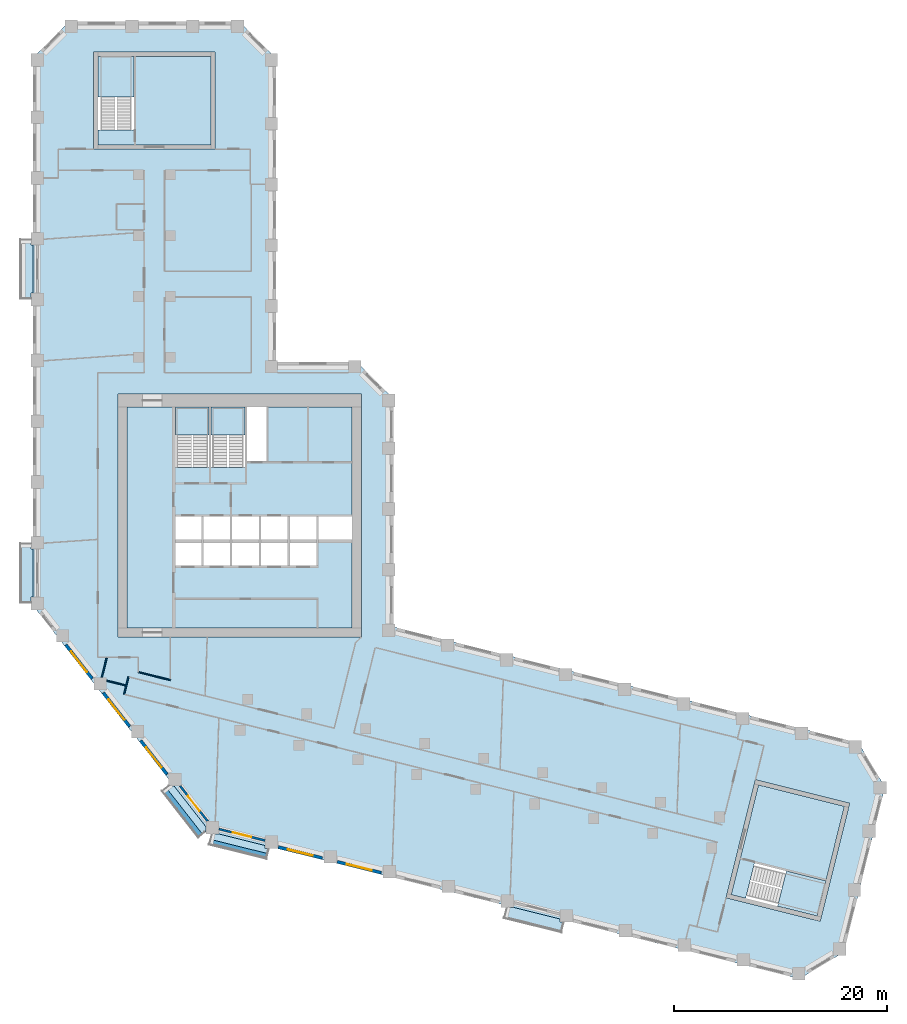
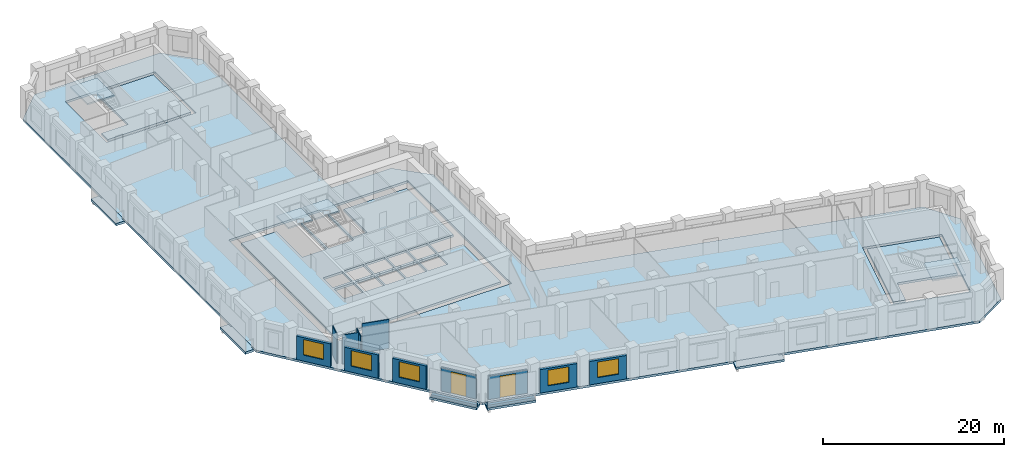
# One storey, part 2 of 10: 13 slabs, 13 walls, 5 windows, 2 doors, 7 openings, 4 elements without a shape of their own.
"""IFC4 building model written with IfcOpenShell, lengths in metres."""

from ifc_helpers import new_model, si_unit, direction, frame, frame_2d, origin, place, context, subcontext, project, spatial, polyline, rectangle, outline, extrude, material, layer, layer_set, type_object, element, fill, aggregate, save


model = new_model("IFC4")

# Units and contexts
model_context = context("Model", 3, precision=1e-05, world=origin(), true_north=direction((0.0, 1.0)))
body_context = subcontext(model_context, "Body", "Model", "MODEL_VIEW")
ifc_project = project(units=[si_unit("LENGTHUNIT", "METRE"), si_unit("AREAUNIT", "SQUARE_METRE"), si_unit("VOLUMEUNIT", "CUBIC_METRE"), si_unit("PLANEANGLEUNIT", "RADIAN"), si_unit("MASSUNIT", "GRAM", prefix="KILO")], contexts=[model_context])

# Site, building, storey
site_placement = place(None, origin())
site = spatial("IfcSite", under=ifc_project, at=site_placement, CompositionType="ELEMENT")
building_placement = place(site_placement, origin())
building = spatial("IfcBuilding", under=site, at=building_placement, Name="Meshkara Civic Tower", CompositionType="ELEMENT")
storey_placement = place(building_placement, frame((0.0, 0.0, 169.800048828125)))
storey = spatial("IfcBuildingStorey", under=building, at=storey_placement, Name="L38", CompositionType="ELEMENT", Elevation=169.800048828125)

# Slabs
ifc_material_1 = material(Name="Concrete C40", Category="concrete")
ifc_layer_1 = layer(ifc_material_1, 0.300048828125)
ifc_layer_set_1 = layer_set([ifc_layer_1], Name="BALCONY SLAB")
slab_type_1 = type_object("IfcSlabType", Name="BALCONY SLAB", PredefinedType="FLOOR", material=ifc_layer_set_1)
slab_1_placement = place(storey_placement, frame((0.0, 0.0, -0.300048828125)))
element("IfcSlab", 1, at=slab_1_placement, inside=storey, type_object=slab_type_1, Name="Balcony slab", PredefinedType="FLOOR", context=body_context, shape_type="SweptSolid", body=[
    extrude(outline(polyline([(-1.199951171875, 45.81494140625), (-1.199951171875, 51.39501953125), (-0.14990234375, 51.39501953125), (-0.14990234375, 50.85498046875), (0.0, 50.85498046875), (0.0, 46.35498046875), (-0.14990234375, 46.35498046875), (-0.14990234375, 45.81494140625), (-1.199951171875, 45.81494140625)])), origin(), (0.0, 0.0, 1.0), 0.300048828125),
])
slab_2_placement = place(storey_placement, frame((0.0, 0.0, -0.300048828125)))
element("IfcSlab", 2, at=slab_2_placement, inside=storey, type_object=slab_type_1, Name="Balcony slab", PredefinedType="FLOOR", context=body_context, shape_type="SweptSolid", body=[
    extrude(outline(polyline([(-1.199951171875, 17.31494140625), (-1.199951171875, 22.89501953125), (-0.14990234375, 22.89501953125), (-0.14990234375, 22.35498046875), (0.0, 22.35498046875), (0.0, 17.85498046875), (-0.14990234375, 17.85498046875), (-0.14990234375, 17.31494140625), (-1.199951171875, 17.31494140625)])), origin(), (0.0, 0.0, 1.0), 0.300048828125),
])
slab_3_placement = place(storey_placement, frame((0.0, 0.0, -0.300048828125)))
element("IfcSlab", 3, at=slab_3_placement, inside=storey, type_object=slab_type_1, Name="Balcony slab", PredefinedType="FLOOR", context=body_context, shape_type="SweptSolid", body=[
    extrude(outline(polyline([(15.513916015625, -4.7060546875), (12.0791015625, -0.30908203125), (12.741943359375, 0.208984375), (12.741943359375, 0.154052734375), (13.239990234375, 0.154052734375), (16.2509765625, -3.700927734375), (16.2509765625, -4.131103515625), (15.513916015625, -4.7060546875)])), origin(), (0.0, 0.0, 1.0), 0.300048828125),
])
slab_4_placement = place(storey_placement, frame((0.0, 0.0, -0.300048828125)))
element("IfcSlab", 4, at=slab_4_placement, inside=storey, type_object=slab_type_1, Name="Balcony slab", PredefinedType="FLOOR", context=body_context, shape_type="SweptSolid", body=[
    extrude(outline(polyline([(21.925048828125, -6.702880859375), (16.510009765625, -5.35302734375), (16.762939453125, -4.337890625), (17.39794921875, -4.337890625), (21.781982421875, -5.430908203125), (21.781982421875, -5.717041015625), (22.1708984375, -5.717041015625), (21.925048828125, -6.702880859375)])), origin(), (0.0, 0.0, 1.0), 0.300048828125),
])
slab_5_placement = place(storey_placement, frame((0.0, 0.0, -0.300048828125)))
element("IfcSlab", 5, at=slab_5_placement, inside=storey, type_object=slab_type_1, Name="Balcony slab", PredefinedType="FLOOR", context=body_context, shape_type="SweptSolid", body=[
    extrude(outline(polyline([(49.577880859375, -13.597900390625), (44.1640625, -12.248046875), (44.4169921875, -11.23193359375), (45.050048828125, -11.23193359375), (49.43505859375, -12.324951171875), (49.43505859375, -12.611083984375), (49.823974609375, -12.611083984375), (49.577880859375, -13.597900390625)])), origin(), (0.0, 0.0, 1.0), 0.300048828125),
])
ifc_material_2 = material(Name="Concrete C40/50", Category="concrete")
ifc_layer_2 = layer(ifc_material_2, 0.300048828125)
ifc_layer_set_2 = layer_set([ifc_layer_2], Name="Core floor slab 300 C40/50")
slab_type_2 = type_object("IfcSlabType", Name="Core floor slab 300 C40/50", PredefinedType="FLOOR", material=ifc_layer_set_2)
slab_6_placement = place(storey_placement, frame((0.0, 0.0, -0.300048828125)))
element("IfcSlab", 6, at=slab_6_placement, inside=storey, type_object=slab_type_2, Name="Core floor K", PredefinedType="FLOOR", context=body_context, shape_type="SweptSolid", body=[
    extrude(outline(polyline([(8.85009765625, 35.699951171875), (13.3701171875, 35.699951171875), (13.3701171875, 30.00146484375), (16.5, 30.00146484375), (16.5, 35.699951171875), (16.699951171875, 35.699951171875), (16.699951171875, 30.00146484375), (19.89990234375, 30.00146484375), (19.89990234375, 35.699951171875), (20.10009765625, 35.699951171875), (20.10009765625, 30.574951171875), (21.925048828125, 30.574951171875), (21.925048828125, 35.699951171875), (29.949951171875, 35.699951171875), (29.949951171875, 25.39990234375), (26.800048828125, 25.39990234375), (26.800048828125, 23.27001953125), (29.949951171875, 23.27001953125), (29.949951171875, 14.949951171875), (8.85009765625, 14.949951171875), (8.85009765625, 35.699951171875)]), holes=[polyline([(15.800048828125, 22.929931640625), (13.3701171875, 22.929931640625), (13.3701171875, 20.800048828125), (15.800048828125, 20.800048828125), (15.800048828125, 22.929931640625)]), polyline([(16.0, 22.929931640625), (16.0, 20.800048828125), (18.5, 20.800048828125), (18.5, 22.929931640625), (16.0, 22.929931640625)]), polyline([(18.699951171875, 22.929931640625), (18.699951171875, 20.800048828125), (21.199951171875, 20.800048828125), (21.199951171875, 22.929931640625), (18.699951171875, 22.929931640625)]), polyline([(15.800048828125, 23.27001953125), (15.800048828125, 25.39990234375), (13.3701171875, 25.39990234375), (13.3701171875, 23.27001953125), (15.800048828125, 23.27001953125)]), polyline([(16.0, 25.39990234375), (16.0, 23.27001953125), (18.5, 23.27001953125), (18.5, 25.39990234375), (16.0, 25.39990234375)]), polyline([(21.39990234375, 20.800048828125), (23.89990234375, 20.800048828125), (23.89990234375, 22.929931640625), (21.39990234375, 22.929931640625), (21.39990234375, 20.800048828125)]), polyline([(24.10009765625, 20.800048828125), (26.60009765625, 20.800048828125), (26.60009765625, 22.929931640625), (24.10009765625, 22.929931640625), (24.10009765625, 20.800048828125)]), polyline([(18.699951171875, 25.39990234375), (18.699951171875, 23.27001953125), (21.199951171875, 23.27001953125), (21.199951171875, 25.39990234375), (18.699951171875, 25.39990234375)]), polyline([(21.39990234375, 25.39990234375), (21.39990234375, 23.27001953125), (23.89990234375, 23.27001953125), (23.89990234375, 25.39990234375), (21.39990234375, 25.39990234375)]), polyline([(24.10009765625, 23.27001953125), (26.60009765625, 23.27001953125), (26.60009765625, 25.39990234375), (24.10009765625, 25.39990234375), (24.10009765625, 23.27001953125)])]), origin(), (0.0, 0.0, 1.0), 0.300048828125),
])
slab_7_placement = place(storey_placement, frame((0.0, 0.0, -0.300048828125)))
element("IfcSlab", 7, at=slab_7_placement, inside=storey, type_object=slab_type_2, Name="Core floor EA", PredefinedType="FLOOR", context=body_context, shape_type="SweptSolid", body=[
    extrude(outline(polyline([(16.699951171875, 60.27001953125), (16.699951171875, 68.570068359375), (9.5, 68.570068359375), (9.5, 61.67138671875), (6.10009765625, 61.67138671875), (6.10009765625, 60.27001953125), (16.699951171875, 60.27001953125)])), origin(), (0.0, 0.0, 1.0), 0.300048828125),
])
slab_8_placement = place(storey_placement, frame((0.0, 0.0, -0.300048828125)))
element("IfcSlab", 8, at=slab_8_placement, inside=storey, type_object=slab_type_2, Name="Core floor EB", PredefinedType="FLOOR", context=body_context, shape_type="SweptSolid", body=[
    extrude(outline(polyline([(68.050537109375, 0.244384765625), (76.10400390625, -1.763671875), (74.362060546875, -8.749755859375), (67.66845703125, -7.080810546875), (66.845947265625, -10.3798828125), (65.486083984375, -10.040771484375), (68.050537109375, 0.244384765625)])), origin(), (0.0, 0.0, 1.0), 0.300048828125),
])

# Stair, slab
ifc_material_3 = material(Name="Precast concrete C40/50", Category="concrete")
stair_type = type_object("IfcStairType", Name="Exit stair half-turn 24 risers precast", PredefinedType="HALF_TURN_STAIR", material=ifc_material_3)
stair_1_placement = place(storey_placement, origin())
stair_1 = element("IfcStair", 9, at=stair_1_placement, inside=storey, type_object=stair_type, Name="L38 exit stair 1", PredefinedType="HALF_TURN_STAIR")
ifc_material_4 = material(Name="Precast concrete C40/50", Category="concrete")
ifc_layer_3 = layer(ifc_material_4, 0.199951171875)
ifc_layer_set_3 = layer_set([ifc_layer_3], Name="Exit stair landing 200")
slab_type_3 = type_object("IfcSlabType", Name="Exit stair landing 200", PredefinedType="LANDING", material=ifc_layer_set_3)
slab_9_placement = place(storey_placement, frame((0.0, 0.0, 1.89990234375)))
slab_9 = element("IfcSlab", 10, at=slab_9_placement, type_object=slab_type_3, Name="ST1 landing 1", PredefinedType="LANDING", context=body_context, shape_type="SweptSolid", body=[
    extrude(outline(polyline([(16.5, 33.07861328125), (16.5, 35.699951171875), (13.3701171875, 35.699951171875), (13.3701171875, 33.07861328125), (16.5, 33.07861328125)])), origin(), (0.0, 0.0, 1.0), 0.199951171875),
])
aggregate(stair_1, [slab_9])

stair_2_placement = place(storey_placement, origin())
stair_2 = element("IfcStair", 11, at=stair_2_placement, inside=storey, type_object=stair_type, Name="L38 exit stair 2", PredefinedType="HALF_TURN_STAIR")
slab_10_placement = place(storey_placement, frame((0.0, 0.0, 1.89990234375)))
slab_10 = element("IfcSlab", 12, at=slab_10_placement, type_object=slab_type_3, Name="ST2 landing 1", PredefinedType="LANDING", context=body_context, shape_type="SweptSolid", body=[
    extrude(outline(polyline([(19.89990234375, 33.07861328125), (19.89990234375, 35.699951171875), (16.699951171875, 35.699951171875), (16.699951171875, 33.07861328125), (19.89990234375, 33.07861328125)])), origin(), (0.0, 0.0, 1.0), 0.199951171875),
])
aggregate(stair_2, [slab_10])

stair_3_placement = place(storey_placement, origin())
stair_3 = element("IfcStair", 13, at=stair_3_placement, inside=storey, type_object=stair_type, Name="L38 exit stair A from L35", PredefinedType="HALF_TURN_STAIR")
slab_11_placement = place(storey_placement, frame((0.0, 0.0, 1.89990234375)))
slab_11 = element("IfcSlab", 14, at=slab_11_placement, type_object=slab_type_3, Name="ESA3 landing 1", PredefinedType="LANDING", context=body_context, shape_type="SweptSolid", body=[
    extrude(outline(polyline([(9.5, 64.74853515625), (9.5, 68.570068359375), (6.10009765625, 68.570068359375), (6.10009765625, 64.74853515625), (9.5, 64.74853515625)])), origin(), (0.0, 0.0, 1.0), 0.199951171875),
])
aggregate(stair_3, [slab_11])

stair_4_placement = place(storey_placement, origin())
stair_4 = element("IfcStair", 15, at=stair_4_placement, inside=storey, type_object=stair_type, Name="L38 exit stair B from L35", PredefinedType="HALF_TURN_STAIR")
slab_12_placement = place(storey_placement, frame((0.0, 0.0, 1.89990234375)))
slab_12 = element("IfcSlab", 16, at=slab_12_placement, type_object=slab_type_3, Name="ESB3 landing 1", PredefinedType="LANDING", context=body_context, shape_type="SweptSolid", body=[
    extrude(outline(polyline([(69.831298828125, -11.124755859375), (73.5400390625, -12.049072265625), (74.3623046875, -8.7490234375), (70.653564453125, -7.82470703125), (69.831298828125, -11.124755859375)])), origin(), (0.0, 0.0, 1.0), 0.199951171875),
])
aggregate(stair_4, [slab_12])

# Slab
ifc_material_5 = material(Name="Concrete C50", Category="concrete")
ifc_layer_4 = layer(ifc_material_5, 0.300048828125)
ifc_layer_set_4 = layer_set([ifc_layer_4], Name="Post-tensioned flat slab 300 C50")
slab_type_4 = type_object("IfcSlabType", Name="Post-tensioned flat slab 300 C50", PredefinedType="FLOOR", material=ifc_layer_set_4)
slab_13_placement = place(storey_placement, frame((0.0, 0.0, -0.300048828125)))
element("IfcSlab", 17, at=slab_13_placement, inside=storey, type_object=slab_type_4, Name="Post-tensioned flat slab L38", PredefinedType="FLOOR", context=body_context, shape_type="SweptSolid", body=[
    extrude(outline(polyline([(76.044921875, -15.43505859375), (71.89892578125, -17.926025390625), (16.592041015625, -4.136962890625), (0.0, 17.10009765625), (0.0, 68.39990234375), (3.419921875, 71.820068359375), (19.3798828125, 71.820068359375), (22.800048828125, 68.39990234375), (22.800048828125, 39.89990234375), (30.3798828125, 39.89990234375), (33.800048828125, 36.47998046875), (33.800048828125, 15.071044921875), (77.4150390625, 4.196044921875), (79.906005859375, 0.051025390625), (76.044921875, -15.43505859375)]), holes=[polyline([(73.8310546875, -12.533935546875), (76.589111328125, -1.471923828125), (67.759033203125, 0.72900390625), (65.0009765625, -10.33203125), (73.8310546875, -12.533935546875)]), polyline([(8.0, 14.10009765625), (30.800048828125, 14.10009765625), (30.800048828125, 36.89990234375), (8.0, 36.89990234375), (8.0, 14.10009765625)]), polyline([(5.699951171875, 68.969970703125), (5.699951171875, 59.8701171875), (17.10009765625, 59.8701171875), (17.10009765625, 68.969970703125), (5.699951171875, 68.969970703125)])]), origin(), (0.0, 0.0, 1.0), 0.300048828125),
])

# Walls
ifc_material_6 = material(Name="Corridor wall 100")
ifc_layer_5 = layer(ifc_material_6, 0.10009765625)
ifc_layer_set_5 = layer_set([ifc_layer_5], Name="Corridor wall 100")
wall_type_1 = type_object("IfcWallType", Name="Corridor wall 100", PredefinedType="PARTITIONING", material=ifc_layer_set_5)
wall_1_placement = place(storey_placement, frame((8.972900390625, 10.382080078125, 0.0), z_axis=(0.0, 0.0, 1.0), x_axis=(-0.241650823739, -0.970363271866, 0.0)))
element("IfcWall", 18, at=wall_1_placement, inside=storey, type_object=wall_type_1, Name="L38-W008", PredefinedType="PARTITIONING", context=body_context, shape_type="SweptSolid", body=[
    extrude(rectangle(XDim=1.688232421875, YDim=0.10009765625, at=frame_2d((0.84423828125, 0.0))), origin(), (0.0, 0.0, 1.0), 3.89990234375),
])
wall_2_placement = place(storey_placement, frame((9.89990234375, 10.825927734375, 0.0), z_axis=(0.0, 0.0, 1.0), x_axis=(0.970290953223, -0.241941038466, 0.0)))
element("IfcWall", 19, at=wall_2_placement, inside=storey, type_object=wall_type_1, Name="L38-W009", PredefinedType="PARTITIONING", context=body_context, shape_type="SweptSolid", body=[
    extrude(rectangle(XDim=3.091796875, YDim=0.10009765625, at=frame_2d((1.5458984375, 0.0))), origin(), (0.0, 0.0, 1.0), 3.89990234375),
])

# Wall, opening, window
ifc_material_7 = material(Name="Insulated infill panel with bronze anodised aluminium cladding", Category="aluminium")
ifc_layer_6 = layer(ifc_material_7, 0.300048828125)
ifc_layer_set_6 = layer_set([ifc_layer_6], Name="EXTERNAL INFILL WALL 300")
wall_type_2 = type_object("IfcWallType", Name="EXTERNAL INFILL WALL 300", PredefinedType="SOLIDWALL", material=ifc_layer_set_6)
wall_3_placement = place(storey_placement, frame((3.095947265625, 13.381103515625, 0.0), z_axis=(0.0, 0.0, 1.0), x_axis=(0.615563820493, -0.78808704018, 0.0)))
wall_3 = element("IfcWall", 20, at=wall_3_placement, inside=storey, type_object=wall_type_2, Name="External wall", PredefinedType="SOLIDWALL", context=body_context, shape_type="SweptSolid", body=[
    extrude(rectangle(XDim=4.01611328125, YDim=0.300048828125, at=frame_2d((2.008056640625, 0.0))), origin(), (0.0, 0.0, 1.0), 3.14990234375),
])
opening_1_placement = place(wall_3_placement, frame((0.80810546875, 0.0, 0.800048828125)))
opening_1 = element("IfcOpeningElement", 21, at=opening_1_placement, cuts=wall_3, Name="Opening W7", PredefinedType="OPENING", context=body_context, shape_type="SweptSolid", body=[
    extrude(rectangle(XDim=2.39990234375, YDim=2.10009765625, at=frame_2d((1.199951171875, 1.050048828125))), frame((0.0, 0.159912109375, 0.0), z_axis=(0.0, -1.0, 0.0), x_axis=(1.0, 0.0, 0.0)), (0.0, 0.0, 1.0), 0.320068359375),
])
ifc_material_8 = material(Name="Tinted double glazing", Category="glass")
window_type = type_object("IfcWindowType", Name="WINDOW 2400x2100", PartitioningType="DOUBLE_PANEL_VERTICAL", PredefinedType="WINDOW", material=ifc_material_8)
window_1_placement = place(opening_1_placement, origin())
window_1 = element("IfcWindow", 22, at=window_1_placement, inside=storey, type_object=window_type, Name="Window", OverallHeight=2.10009765625, OverallWidth=2.39990234375, PartitioningType="DOUBLE_PANEL_VERTICAL", PredefinedType="WINDOW", context=body_context, shape_type="SweptSolid", body=[
    extrude(rectangle(XDim=2.39990234375, YDim=2.10009765625, at=frame_2d((1.199951171875, 1.050048828125))), frame((0.0, 0.030029296875, 0.0), z_axis=(0.0, -1.0, 0.0), x_axis=(1.0, 0.0, 0.0)), (0.0, 0.0, 1.0), 0.06005859375),
])
fill(opening_1, window_1)

wall_4_placement = place(storey_placement, frame((6.60498046875, 8.888916015625, 0.0), z_axis=(0.0, 0.0, 1.0), x_axis=(0.615706559089, -0.787975528233, 0.0)))
wall_4 = element("IfcWall", 23, at=wall_4_placement, inside=storey, type_object=wall_type_2, Name="External wall", PredefinedType="SOLIDWALL", context=body_context, shape_type="SweptSolid", body=[
    extrude(rectangle(XDim=4.016357421875, YDim=0.300048828125, at=frame_2d((2.00830078125, 0.0))), origin(), (0.0, 0.0, 1.0), 3.14990234375),
])
opening_2_placement = place(wall_4_placement, frame((0.80810546875, 0.0, 0.800048828125)))
opening_2 = element("IfcOpeningElement", 24, at=opening_2_placement, cuts=wall_4, Name="Opening W7", PredefinedType="OPENING", context=body_context, shape_type="SweptSolid", body=[
    extrude(rectangle(XDim=2.39990234375, YDim=2.10009765625, at=frame_2d((1.199951171875, 1.050048828125))), frame((0.0, 0.159912109375, 0.0), z_axis=(0.0, -1.0, 0.0), x_axis=(1.0, 0.0, 0.0)), (0.0, 0.0, 1.0), 0.320068359375),
])
window_2_placement = place(opening_2_placement, origin())
window_2 = element("IfcWindow", 25, at=window_2_placement, inside=storey, type_object=window_type, Name="Window", OverallHeight=2.10009765625, OverallWidth=2.39990234375, PartitioningType="DOUBLE_PANEL_VERTICAL", PredefinedType="WINDOW", context=body_context, shape_type="SweptSolid", body=[
    extrude(rectangle(XDim=2.39990234375, YDim=2.10009765625, at=frame_2d((1.199951171875, 1.050048828125))), frame((0.0, 0.030029296875, 0.0), z_axis=(0.0, -1.0, 0.0), x_axis=(1.0, 0.0, 0.0)), (0.0, 0.0, 1.0), 0.06005859375),
])
fill(opening_2, window_2)

wall_5_placement = place(storey_placement, frame((10.114990234375, 4.39697265625, 0.0), z_axis=(0.0, 0.0, 1.0), x_axis=(0.615644041972, -0.788024373725, 0.0)))
wall_5 = element("IfcWall", 26, at=wall_5_placement, inside=storey, type_object=wall_type_2, Name="External wall", PredefinedType="SOLIDWALL", context=body_context, shape_type="SweptSolid", body=[
    extrude(rectangle(XDim=4.01513671875, YDim=0.300048828125, at=frame_2d((2.007568359375, 0.0))), origin(), (0.0, 0.0, 1.0), 3.14990234375),
])
opening_3_placement = place(wall_5_placement, frame((0.806884765625, 0.0, 0.800048828125)))
opening_3 = element("IfcOpeningElement", 27, at=opening_3_placement, cuts=wall_5, Name="Opening W7", PredefinedType="OPENING", context=body_context, shape_type="SweptSolid", body=[
    extrude(rectangle(XDim=2.39990234375, YDim=2.10009765625, at=frame_2d((1.199951171875, 1.050048828125))), frame((0.0, 0.159912109375, 0.0), z_axis=(0.0, -1.0, 0.0), x_axis=(1.0, 0.0, 0.0)), (0.0, 0.0, 1.0), 0.320068359375),
])
window_3_placement = place(opening_3_placement, origin())
window_3 = element("IfcWindow", 28, at=window_3_placement, inside=storey, type_object=window_type, Name="Window", OverallHeight=2.10009765625, OverallWidth=2.39990234375, PartitioningType="DOUBLE_PANEL_VERTICAL", PredefinedType="WINDOW", context=body_context, shape_type="SweptSolid", body=[
    extrude(rectangle(XDim=2.39990234375, YDim=2.10009765625, at=frame_2d((1.199951171875, 1.050048828125))), frame((0.0, 0.030029296875, 0.0), z_axis=(0.0, -1.0, 0.0), x_axis=(1.0, 0.0, 0.0)), (0.0, 0.0, 1.0), 0.06005859375),
])
fill(opening_3, window_3)

wall_6_placement = place(storey_placement, frame((23.014892578125, -5.583984375, 0.0), z_axis=(0.0, 0.0, 1.0), x_axis=(0.970291164166, -0.241940192487, 0.0)))
wall_6 = element("IfcWall", 29, at=wall_6_placement, inside=storey, type_object=wall_type_2, Name="External wall", PredefinedType="SOLIDWALL", context=body_context, shape_type="SweptSolid", body=[
    extrude(rectangle(XDim=4.245361328125, YDim=0.300048828125, at=frame_2d((2.12255859375, 0.0))), origin(), (0.0, 0.0, 1.0), 3.14990234375),
])
opening_4_placement = place(wall_6_placement, frame((0.922119140625, 0.0, 0.800048828125)))
opening_4 = element("IfcOpeningElement", 30, at=opening_4_placement, cuts=wall_6, Name="Opening W7", PredefinedType="OPENING", context=body_context, shape_type="SweptSolid", body=[
    extrude(rectangle(XDim=2.39990234375, YDim=2.10009765625, at=frame_2d((1.199951171875, 1.050048828125))), frame((0.0, 0.159912109375, 0.0), z_axis=(0.0, -1.0, 0.0), x_axis=(1.0, 0.0, 0.0)), (0.0, 0.0, 1.0), 0.320068359375),
])
window_4_placement = place(opening_4_placement, origin())
window_4 = element("IfcWindow", 31, at=window_4_placement, inside=storey, type_object=window_type, Name="Window", OverallHeight=2.10009765625, OverallWidth=2.39990234375, PartitioningType="DOUBLE_PANEL_VERTICAL", PredefinedType="WINDOW", context=body_context, shape_type="SweptSolid", body=[
    extrude(rectangle(XDim=2.39990234375, YDim=2.10009765625, at=frame_2d((1.199951171875, 1.050048828125))), frame((0.0, 0.030029296875, 0.0), z_axis=(0.0, -1.0, 0.0), x_axis=(1.0, 0.0, 0.0)), (0.0, 0.0, 1.0), 0.06005859375),
])
fill(opening_4, window_4)

wall_7_placement = place(storey_placement, frame((28.544921875, -6.962890625, 0.0), z_axis=(0.0, 0.0, 1.0), x_axis=(0.97030462482, -0.241886202691, 0.0)))
wall_7 = element("IfcWall", 32, at=wall_7_placement, inside=storey, type_object=wall_type_2, Name="External wall", PredefinedType="SOLIDWALL", context=body_context, shape_type="SweptSolid", body=[
    extrude(rectangle(XDim=4.24609375, YDim=0.300048828125, at=frame_2d((2.123046875, 0.0))), origin(), (0.0, 0.0, 1.0), 3.14990234375),
])
opening_5_placement = place(wall_7_placement, frame((0.923095703125, 0.0, 0.800048828125)))
opening_5 = element("IfcOpeningElement", 33, at=opening_5_placement, cuts=wall_7, Name="Opening W7", PredefinedType="OPENING", context=body_context, shape_type="SweptSolid", body=[
    extrude(rectangle(XDim=2.39990234375, YDim=2.10009765625, at=frame_2d((1.199951171875, 1.050048828125))), frame((0.0, 0.159912109375, 0.0), z_axis=(0.0, -1.0, 0.0), x_axis=(1.0, 0.0, 0.0)), (0.0, 0.0, 1.0), 0.320068359375),
])
window_5_placement = place(opening_5_placement, origin())
window_5 = element("IfcWindow", 34, at=window_5_placement, inside=storey, type_object=window_type, Name="Window", OverallHeight=2.10009765625, OverallWidth=2.39990234375, PartitioningType="DOUBLE_PANEL_VERTICAL", PredefinedType="WINDOW", context=body_context, shape_type="SweptSolid", body=[
    extrude(rectangle(XDim=2.39990234375, YDim=2.10009765625, at=frame_2d((1.199951171875, 1.050048828125))), frame((0.0, 0.030029296875, 0.0), z_axis=(0.0, -1.0, 0.0), x_axis=(1.0, 0.0, 0.0)), (0.0, 0.0, 1.0), 0.06005859375),
])
fill(opening_5, window_5)

# Wall, opening, door
ifc_material_9 = material(Name="Insulated infill panel with bronze anodised aluminium cladding", Category="aluminium")
ifc_layer_7 = layer(ifc_material_9, 0.199951171875)
ifc_layer_set_7 = layer_set([ifc_layer_7], Name="LOGGIA BACK WALL 200")
wall_type_3 = type_object("IfcWallType", Name="LOGGIA BACK WALL 200", PredefinedType="SOLIDWALL", material=ifc_layer_set_7)
wall_8_placement = place(storey_placement, frame((13.81103515625, 0.154052734375, 0.0), z_axis=(0.0, 0.0, 1.0), x_axis=(0.615521537177, -0.788120065264, 0.0)))
wall_8 = element("IfcWall", 35, at=wall_8_placement, inside=storey, type_object=wall_type_3, Name="Loggia wall", PredefinedType="SOLIDWALL", context=body_context, shape_type="SweptSolid", body=[
    extrude(rectangle(XDim=4.177001953125, YDim=0.199951171875, at=frame_2d((2.08837890625, 0.0))), origin(), (0.0, 0.0, 1.0), 3.14990234375),
])
opening_6_placement = place(wall_8_placement, frame((1.18798828125, 0.0, 0.0)))
opening_6 = element("IfcOpeningElement", 36, at=opening_6_placement, cuts=wall_8, Name="Opening L38-L003", PredefinedType="OPENING", context=body_context, shape_type="SweptSolid", body=[
    extrude(rectangle(XDim=1.800048828125, YDim=2.89990234375, at=frame_2d((0.89990234375, 1.449951171875))), frame((0.0, 0.10986328125, 0.0), z_axis=(0.0, -1.0, 0.0), x_axis=(1.0, 0.0, 0.0)), (0.0, 0.0, 1.0), 0.219970703125),
])
ifc_material_10 = material(Name="Tinted double glazing", Category="glass")
door_type = type_object("IfcDoorType", Name="LOGGIA DOOR 1800x2900", OperationType="DOUBLE_DOOR_SINGLE_SWING", PredefinedType="DOOR", material=ifc_material_10)
door_1_placement = place(opening_6_placement, origin())
door_1 = element("IfcDoor", 37, at=door_1_placement, inside=storey, type_object=door_type, Name="L38-L003", OperationType="DOUBLE_DOOR_SINGLE_SWING", OverallHeight=2.89990234375, OverallWidth=1.800048828125, PredefinedType="DOOR", context=body_context, shape_type="SweptSolid", body=[
    extrude(rectangle(XDim=1.800048828125, YDim=2.89990234375, at=frame_2d((0.89990234375, 1.449951171875))), frame((0.0, 0.02490234375, 0.0), z_axis=(0.0, -1.0, 0.0), x_axis=(1.0, 0.0, 0.0)), (0.0, 0.0, 1.0), 0.050048828125),
])
fill(opening_6, door_1)

wall_9_placement = place(storey_placement, frame((17.450927734375, -3.887939453125, 0.0), z_axis=(0.0, 0.0, 1.0), x_axis=(0.970335243139, -0.241763346938, 0.0)))
wall_9 = element("IfcWall", 38, at=wall_9_placement, inside=storey, type_object=wall_type_3, Name="Loggia wall", PredefinedType="SOLIDWALL", context=body_context, shape_type="SweptSolid", body=[
    extrude(rectangle(XDim=4.46337890625, YDim=0.199951171875, at=frame_2d((2.231689453125, 0.0))), origin(), (0.0, 0.0, 1.0), 3.14990234375),
])
opening_7_placement = place(wall_9_placement, frame((1.3310546875, 0.0, 0.0)))
opening_7 = element("IfcOpeningElement", 39, at=opening_7_placement, cuts=wall_9, Name="Opening L38-L004", PredefinedType="OPENING", context=body_context, shape_type="SweptSolid", body=[
    extrude(rectangle(XDim=1.800048828125, YDim=2.89990234375, at=frame_2d((0.89990234375, 1.449951171875))), frame((0.0, 0.10986328125, 0.0), z_axis=(0.0, -1.0, 0.0), x_axis=(1.0, 0.0, 0.0)), (0.0, 0.0, 1.0), 0.219970703125),
])
door_2_placement = place(opening_7_placement, origin())
door_2 = element("IfcDoor", 40, at=door_2_placement, inside=storey, type_object=door_type, Name="L38-L004", OperationType="DOUBLE_DOOR_SINGLE_SWING", OverallHeight=2.89990234375, OverallWidth=1.800048828125, PredefinedType="DOOR", context=body_context, shape_type="SweptSolid", body=[
    extrude(rectangle(XDim=1.800048828125, YDim=2.89990234375, at=frame_2d((0.89990234375, 1.449951171875))), frame((0.0, 0.02490234375, 0.0), z_axis=(0.0, -1.0, 0.0), x_axis=(1.0, 0.0, 0.0)), (0.0, 0.0, 1.0), 0.050048828125),
])
fill(opening_7, door_2)

# Walls
ifc_material_11 = material(Name="Concrete C40", Category="concrete")
ifc_layer_8 = layer(ifc_material_11, 0.39990234375)
ifc_layer_set_8 = layer_set([ifc_layer_8], Name="PLANTER TRAY")
wall_type_4 = type_object("IfcWallType", Name="PLANTER TRAY", PredefinedType="SOLIDWALL", material=ifc_layer_set_8)
wall_10_placement = place(storey_placement, frame((12.39794921875, -0.198974609375, 0.0), z_axis=(0.0, 0.0, 1.0), x_axis=(0.615638738903, -0.788028516719, 0.0)))
element("IfcWall", 41, at=wall_10_placement, inside=storey, type_object=wall_type_4, Name="Planter", PredefinedType="SOLIDWALL", context=body_context, shape_type="SweptSolid", body=[
    extrude(rectangle(XDim=5.3603515625, YDim=0.39990234375, at=frame_2d((2.68017578125, 0.0))), origin(), (0.0, 0.0, 1.0), 0.300048828125),
])
wall_11_placement = place(storey_placement, frame((16.694091796875, -5.069091796875, 0.0), z_axis=(0.0, 0.0, 1.0), x_axis=(0.970289679319, -0.241946147329, 0.0)))
element("IfcWall", 42, at=wall_11_placement, inside=storey, type_object=wall_type_4, Name="Planter", PredefinedType="SOLIDWALL", context=body_context, shape_type="SweptSolid", body=[
    extrude(rectangle(XDim=5.360107421875, YDim=0.39990234375, at=frame_2d((2.68017578125, 0.0))), origin(), (0.0, 0.0, 1.0), 0.300048828125),
])
ifc_material_12 = material(Name="Partition 100")
ifc_layer_9 = layer(ifc_material_12, 0.10009765625)
ifc_layer_set_9 = layer_set([ifc_layer_9], Name="Partition 100")
wall_type_5 = type_object("IfcWallType", Name="Partition 100", PredefinedType="PARTITIONING", material=ifc_layer_set_9)
wall_12_placement = place(storey_placement, frame((6.922119140625, 12.137939453125, 0.0), z_axis=(0.0, 0.0, 1.0), x_axis=(-0.242504681353, -0.970150235542, 0.0)))
element("IfcWall", 43, at=wall_12_placement, inside=storey, type_object=wall_type_5, Name="L38-W042", PredefinedType="PARTITIONING", context=body_context, shape_type="SweptSolid", body=[
    extrude(rectangle(XDim=1.8564453125, YDim=0.10009765625, at=frame_2d((0.92822265625, 0.0))), origin(), (0.0, 0.0, 1.0), 3.89990234375),
])
wall_13_placement = place(storey_placement, frame((8.719970703125, 9.573974609375, 0.0), z_axis=(0.0, 0.0, 1.0), x_axis=(-0.97017350799, 0.242411559945, 0.0)))
element("IfcWall", 44, at=wall_13_placement, inside=storey, type_object=wall_type_5, Name="L38-W045", PredefinedType="PARTITIONING", context=body_context, shape_type="SweptSolid", body=[
    extrude(rectangle(XDim=1.85205078125, YDim=0.10009765625, at=frame_2d((0.926025390625, 0.0))), origin(), (0.0, 0.0, 1.0), 3.89990234375),
])

save(model, "model.ifc")
